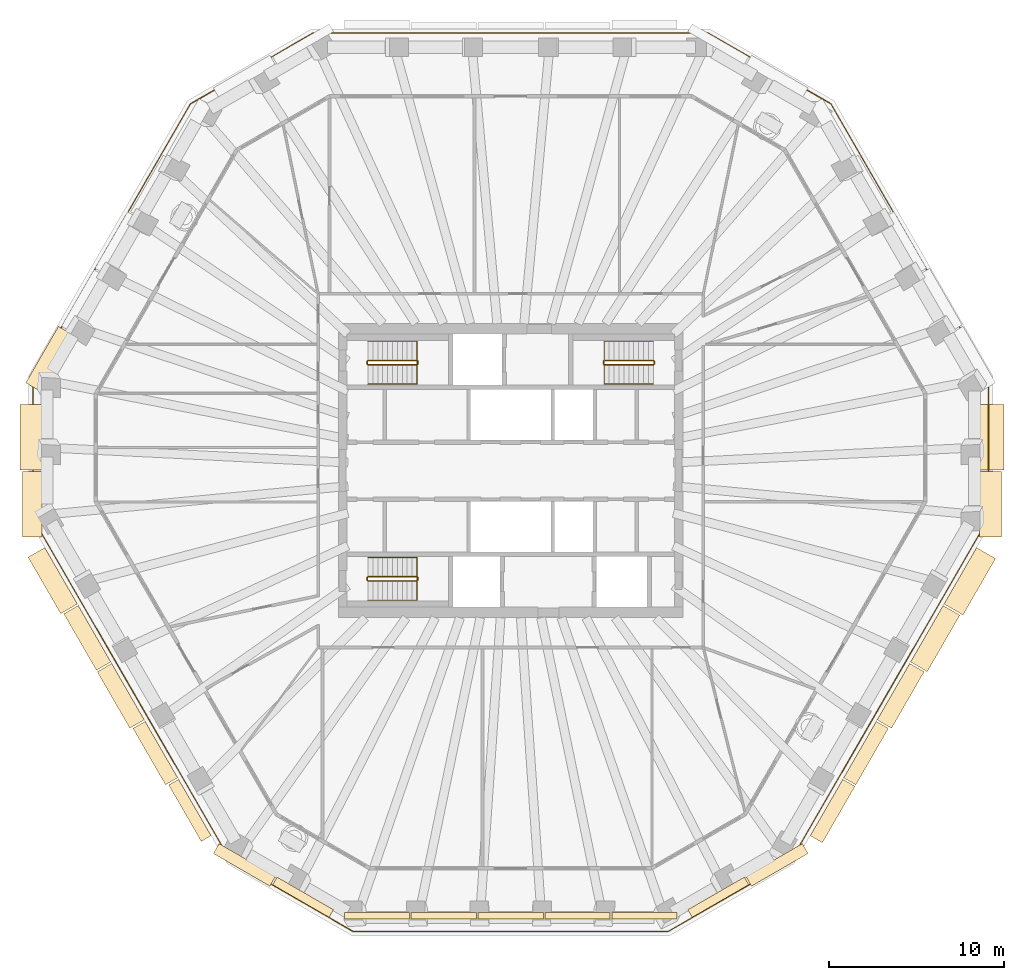
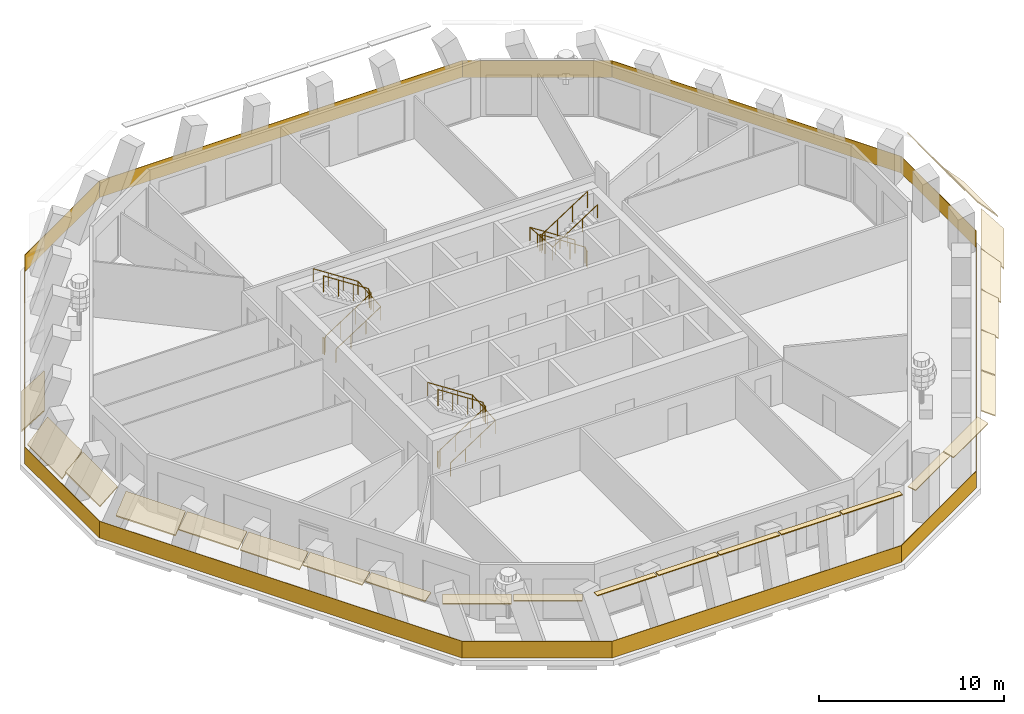
# One storey, part 9 of 12: 24 coverings, 7 railings.
"""IFC4 building model written with IfcOpenShell, lengths in metres."""

from ifc_helpers import new_model, si_unit, direction, frame, origin, origin_2d, place, context, subcontext, project, spatial, polyline, rectangle, circle, outline, extrude, material, layer, layer_set, type_object, element, save


model = new_model("IFC4")

# Units and contexts
model_context = context("Model", 3, precision=1e-05, world=origin(), true_north=direction((0.0, 1.0)))
body_context = subcontext(model_context, "Body", "Model", "MODEL_VIEW")
ifc_project = project(units=[si_unit("LENGTHUNIT", "METRE"), si_unit("AREAUNIT", "SQUARE_METRE"), si_unit("VOLUMEUNIT", "CUBIC_METRE"), si_unit("PLANEANGLEUNIT", "RADIAN"), si_unit("MASSUNIT", "GRAM", prefix="KILO")], contexts=[model_context])

# Site, building, storey
site_placement = place(None, origin())
site = spatial("IfcSite", under=ifc_project, at=site_placement, CompositionType="ELEMENT")
building_placement = place(site_placement, origin())
building = spatial("IfcBuilding", under=site, at=building_placement, Name="Frailejon Research Tower", CompositionType="ELEMENT")
storey_placement = place(building_placement, frame((0.0, 0.0, 253.39990234375)))
storey = spatial("IfcBuildingStorey", under=building, at=storey_placement, Name="L55", CompositionType="ELEMENT", Elevation=253.39990234375)

# Coverings
ifc_material_1 = material(Name="Precast concrete C50/60", Category="concrete")
ifc_layer_1 = layer(ifc_material_1, 0.06005859375)
ifc_layer_set_1 = layer_set([ifc_layer_1], Name="Brim blade depth 1100")
covering_type_1 = type_object("IfcCoveringType", Name="Brim blade depth 1100", PredefinedType="CLADDING", material=ifc_layer_set_1)
covering_1_placement = place(storey_placement, frame((-26.784423828125, -3.776611328125, 3.85009765625), z_axis=(0.0, 1.0, 0.0), x_axis=(-1.0, 0.0, 0.0)))
element("IfcCovering", 1, at=covering_1_placement, inside=storey, type_object=covering_type_1, Name="Brim blade L55", PredefinedType="CLADDING", context=body_context, shape_type="SweptSolid", body=[
    extrude(outline(polyline([(0.0, -0.078369140625), (1.10009765625, -1.001220703125), (1.10009765625, -0.923095703125), (0.0, 0.0), (0.0, -0.078369140625)])), origin(), (0.0, 0.0, 1.0), 3.726806640625),
])
for number, where, z_axis, x_axis, name in (
    (2, (-24.758056640625, -7.61767578125, 3.85009765625), (-0.499995044799, 0.866028264652, 0.0), (-0.866028264652, -0.499995044799, 0.0), "Brim blade L55"),
    (3, (24.7080078125, -7.704345703125, 3.85009765625), (-0.500014671885, -0.866016932802, 0.0), (0.866016932802, -0.500014671885, 0.0), "Brim blade L55"),
):
    element("IfcCovering", number, at=place(storey_placement, frame(where, z_axis=z_axis, x_axis=x_axis)), inside=storey, type_object=covering_type_1, Name=name, PredefinedType="CLADDING", context=body_context, shape_type="SweptSolid", body=[
        extrude(outline(polyline([(0.0, -0.078369140625), (1.10009765625, -1.001220703125), (1.10009765625, -0.923095703125), (0.0, 0.0), (0.0, -0.078369140625)])), origin(), (0.0, 0.0, 1.0), 3.72119140625),
    ])
ifc_material_2 = material(Name="Precast concrete C50/60", Category="concrete")
ifc_layer_2 = layer(ifc_material_2, 0.06005859375)
ifc_layer_set_2 = layer_set([ifc_layer_2], Name="Brim blade depth 1250")
covering_type_2 = type_object("IfcCoveringType", Name="Brim blade depth 1250", PredefinedType="CLADDING", material=ifc_layer_set_2)
covering_2_placement = place(storey_placement, frame((26.784423828125, -0.050048828125, 3.85009765625), z_axis=(0.0, -1.0, 0.0), x_axis=(1.0, 0.0, 0.0)))
element("IfcCovering", 4, at=covering_2_placement, inside=storey, type_object=covering_type_2, Name="Brim blade L55", PredefinedType="CLADDING", context=body_context, shape_type="SweptSolid", body=[
    extrude(outline(polyline([(0.0, -0.0888671875), (1.25, -1.452880859375), (1.25, -1.364013671875), (0.0, 0.0), (0.0, -0.0888671875)])), origin(), (0.0, 0.0, 1.0), 3.726806640625),
])
covering_3_placement = place(storey_placement, frame((-26.61865234375, 4.39501953125, 3.85009765625), z_axis=(0.499995044799, 0.866028264652, 0.0), x_axis=(-0.866028264652, 0.499995044799, 0.0)))
element("IfcCovering", 5, at=covering_3_placement, inside=storey, type_object=covering_type_2, Name="Brim blade L55", PredefinedType="CLADDING", context=body_context, shape_type="SweptSolid", body=[
    extrude(outline(polyline([(0.0, -0.0888671875), (1.25, -1.452880859375), (1.25, -1.364013671875), (0.0, 0.0), (0.0, -0.0888671875)])), origin(), (0.0, 0.0, 1.0), 3.72119140625),
])
covering_4_placement = place(storey_placement, frame((-26.784423828125, 0.050048828125, 3.85009765625), z_axis=(0.0, 1.0, 0.0), x_axis=(-1.0, 0.0, 0.0)))
element("IfcCovering", 6, at=covering_4_placement, inside=storey, type_object=covering_type_2, Name="Brim blade L55", PredefinedType="CLADDING", context=body_context, shape_type="SweptSolid", body=[
    extrude(outline(polyline([(0.0, -0.0888671875), (1.25, -1.452880859375), (1.25, -1.364013671875), (0.0, 0.0), (0.0, -0.0888671875)])), origin(), (0.0, 0.0, 1.0), 3.726806640625),
])
covering_5_placement = place(storey_placement, frame((26.61865234375, -4.39501953125, 3.85009765625), z_axis=(-0.499995044799, -0.866028264652, 0.0), x_axis=(0.866028264652, -0.499995044799, 0.0)))
element("IfcCovering", 7, at=covering_5_placement, inside=storey, type_object=covering_type_2, Name="Brim blade L55", PredefinedType="CLADDING", context=body_context, shape_type="SweptSolid", body=[
    extrude(outline(polyline([(0.0, -0.0888671875), (1.25, -1.452880859375), (1.25, -1.364013671875), (0.0, 0.0), (0.0, -0.0888671875)])), origin(), (0.0, 0.0, 1.0), 3.72119140625),
])
ifc_material_3 = material(Name="Precast concrete C50/60", Category="concrete")
ifc_layer_3 = layer(ifc_material_3, 0.06005859375)
ifc_layer_set_3 = layer_set([ifc_layer_3], Name="Brim blade depth 1400")
covering_type_3 = type_object("IfcCoveringType", Name="Brim blade depth 1400", PredefinedType="CLADDING", material=ifc_layer_set_3)
covering_6_placement = place(storey_placement, frame((26.784423828125, 3.776611328125, 3.85009765625), z_axis=(0.0, -1.0, 0.0), x_axis=(1.0, 0.0, 0.0)))
element("IfcCovering", 8, at=covering_6_placement, inside=storey, type_object=covering_type_3, Name="Brim blade L55", PredefinedType="CLADDING", context=body_context, shape_type="SweptSolid", body=[
    extrude(outline(polyline([(0.0, -0.1044921875), (1.39990234375, -2.10400390625), (1.39990234375, -1.99951171875), (0.0, 0.0), (0.0, -0.1044921875)])), origin(), (0.0, 0.0, 1.0), 3.726806640625),
])
ifc_material_4 = material(Name="Precast concrete C50/60", Category="concrete")
ifc_layer_4 = layer(ifc_material_4, 0.06005859375)
ifc_layer_set_4 = layer_set([ifc_layer_4], Name="Brim blade depth 350")
covering_type_4 = type_object("IfcCoveringType", Name="Brim blade depth 350", PredefinedType="CLADDING", material=ifc_layer_set_4)
for number, where, z_axis, x_axis, name in (
    (9, (-5.781982421875, -25.25, 3.85009765625), (-1.0, 0.0, 0.0), (0.0, -1.0, 0.0), "Brim blade L55"),
    (10, (-1.960693359375, -25.25, 3.85009765625), (-1.0, 0.0, 0.0), (0.0, -1.0, 0.0), "Brim blade L55"),
    (11, (1.860595703125, -25.25, 3.85009765625), (-1.0, 0.0, 0.0), (0.0, -1.0, 0.0), "Brim blade L55"),
    (12, (5.681884765625, -25.25, 3.85009765625), (-1.0, 0.0, 0.0), (0.0, -1.0, 0.0), "Brim blade L55"),
    (13, (9.503173828125, -25.25, 3.85009765625), (-1.0, 0.0, 0.0), (0.0, -1.0, 0.0), "Brim blade L55"),
):
    element("IfcCovering", number, at=place(storey_placement, frame(where, z_axis=z_axis, x_axis=x_axis)), inside=storey, type_object=covering_type_4, Name=name, PredefinedType="CLADDING", context=body_context, shape_type="SweptSolid", body=[
        extrude(outline(polyline([(0.0, -0.06005859375), (0.35009765625, -0.06005859375), (0.35009765625, 0.0), (0.0, 0.0), (0.0, -0.06005859375)])), origin(), (0.0, 0.0, 1.0), 3.72119140625),
    ])
ifc_material_5 = material(Name="Precast concrete C50/60", Category="concrete")
ifc_layer_5 = layer(ifc_material_5, 0.06005859375)
ifc_layer_set_5 = layer_set([ifc_layer_5], Name="Brim blade depth 500")
covering_type_5 = type_object("IfcCoveringType", Name="Brim blade depth 500", PredefinedType="CLADDING", material=ifc_layer_set_5)
for number, where, z_axis, x_axis, name in (
    (14, (-10.12158203125, -25.084228515625, 3.85009765625), (-0.866018477835, 0.500011995905, 0.0), (-0.500011995905, -0.866018477835, 0.0), "Brim blade L55"),
    (15, (13.348876953125, -23.220947265625, 3.85009765625), (-0.866018477835, -0.500011995905, 0.0), (0.500011995905, -0.866018477835, 0.0), "Brim blade L55"),
):
    element("IfcCovering", number, at=place(storey_placement, frame(where, z_axis=z_axis, x_axis=x_axis)), inside=storey, type_object=covering_type_5, Name=name, PredefinedType="CLADDING", context=body_context, shape_type="SweptSolid", body=[
        extrude(outline(polyline([(0.0, -0.060546875), (0.5, -0.130859375), (0.5, -0.0703125), (0.0, 0.0), (0.0, -0.060546875)])), origin(), (0.0, 0.0, 1.0), 3.726806640625),
    ])
ifc_material_6 = material(Name="Precast concrete C50/60", Category="concrete")
ifc_layer_6 = layer(ifc_material_6, 0.06005859375)
ifc_layer_set_6 = layer_set([ifc_layer_6], Name="Brim blade depth 650")
covering_type_6 = type_object("IfcCoveringType", Name="Brim blade depth 650", PredefinedType="CLADDING", material=ifc_layer_set_6)
covering_7_placement = place(storey_placement, frame((-17.115478515625, -20.85498046875, 3.85009765625), z_axis=(-0.500014671885, 0.866016932802, 0.0), x_axis=(-0.866016932802, -0.500014671885, 0.0)))
element("IfcCovering", 16, at=covering_7_placement, inside=storey, type_object=covering_type_6, Name="Brim blade L55", PredefinedType="CLADDING", context=body_context, shape_type="SweptSolid", body=[
    extrude(outline(polyline([(0.0, -0.0625), (0.64990234375, -0.248779296875), (0.64990234375, -0.186279296875), (0.0, 0.0), (0.0, -0.0625)])), origin(), (0.0, 0.0, 1.0), 3.72119140625),
])
for number, where, z_axis, x_axis, name in (
    (17, (-13.435546875, -23.1708984375, 3.85009765625), (-0.866029793251, 0.499992397145, 0.0), (-0.499992397145, -0.866029793251, 0.0), "Brim blade L55"),
    (18, (16.662841796875, -21.3076171875, 3.85009765625), (-0.866029793251, -0.499992397145, 0.0), (0.499992397145, -0.866029793251, 0.0), "Brim blade L55"),
):
    element("IfcCovering", number, at=place(storey_placement, frame(where, z_axis=z_axis, x_axis=x_axis)), inside=storey, type_object=covering_type_6, Name=name, PredefinedType="CLADDING", context=body_context, shape_type="SweptSolid", body=[
        extrude(outline(polyline([(0.0, -0.0625), (0.64990234375, -0.248779296875), (0.64990234375, -0.186279296875), (0.0, 0.0), (0.0, -0.0625)])), origin(), (0.0, 0.0, 1.0), 3.726806640625),
    ])
ifc_material_7 = material(Name="Precast concrete C50/60", Category="concrete")
ifc_layer_7 = layer(ifc_material_7, 0.06005859375)
ifc_layer_set_7 = layer_set([ifc_layer_7], Name="Brim blade depth 800")
covering_type_7 = type_object("IfcCoveringType", Name="Brim blade depth 800", PredefinedType="CLADDING", material=ifc_layer_set_7)
for number, where, z_axis, x_axis, name in (
    (19, (-19.026123046875, -17.545654296875, 3.85009765625), (-0.499995044799, 0.866028264652, 0.0), (-0.866028264652, -0.499995044799, 0.0), "Brim blade L55"),
    (20, (18.976318359375, -17.63232421875, 3.85009765625), (-0.500014671885, -0.866016932802, 0.0), (0.866016932802, -0.500014671885, 0.0), "Brim blade L55"),
    (21, (20.88671875, -14.322998046875, 3.85009765625), (-0.499995044799, -0.866028264652, 0.0), (0.866028264652, -0.499995044799, 0.0), "Brim blade L55"),
):
    element("IfcCovering", number, at=place(storey_placement, frame(where, z_axis=z_axis, x_axis=x_axis)), inside=storey, type_object=covering_type_7, Name=name, PredefinedType="CLADDING", context=body_context, shape_type="SweptSolid", body=[
        extrude(outline(polyline([(0.0, -0.065673828125), (0.800048828125, -0.421875), (0.800048828125, -0.356201171875), (0.0, 0.0), (0.0, -0.065673828125)])), origin(), (0.0, 0.0, 1.0), 3.72119140625),
    ])
ifc_material_8 = material(Name="Precast concrete C50/60", Category="concrete")
ifc_layer_8 = layer(ifc_material_8, 0.06005859375)
ifc_layer_set_8 = layer_set([ifc_layer_8], Name="Brim blade depth 950")
covering_type_8 = type_object("IfcCoveringType", Name="Brim blade depth 950", PredefinedType="CLADDING", material=ifc_layer_set_8)
for number, where, z_axis, x_axis, name in (
    (22, (-22.847412109375, -10.927001953125, 3.85009765625), (-0.500014671885, 0.866016932802, 0.0), (-0.866016932802, -0.500014671885, 0.0), "Brim blade L55"),
    (23, (-20.936767578125, -14.236328125, 3.85009765625), (-0.4999837137, 0.86603480648, 0.0), (-0.86603480648, -0.4999837137, 0.0), "Brim blade L55"),
    (24, (22.79736328125, -11.013671875, 3.85009765625), (-0.4999837137, -0.86603480648, 0.0), (0.86603480648, -0.4999837137, 0.0), "Brim blade L55"),
):
    element("IfcCovering", number, at=place(storey_placement, frame(where, z_axis=z_axis, x_axis=x_axis)), inside=storey, type_object=covering_type_8, Name=name, PredefinedType="CLADDING", context=body_context, shape_type="SweptSolid", body=[
        extrude(outline(polyline([(0.0, -0.07080078125), (0.949951171875, -0.664306640625), (0.949951171875, -0.593505859375), (0.0, 0.0), (0.0, -0.07080078125)])), origin(), (0.0, 0.0, 1.0), 3.72119140625),
    ])

# Railings
ifc_material_9 = material(Name="Laminated glass balustrade", Category="glass")
railing_type_1 = type_object("IfcRailingType", Name="Glass guard 1100", PredefinedType="GUARDRAIL", material=ifc_material_9)
railing_1_placement = place(storey_placement, frame((27.299072265625, -2.721923828125, 0.0)))
element("IfcRailing", 25, at=railing_1_placement, inside=storey, type_object=railing_type_1, Name="Loggia guard L55", PredefinedType="GUARDRAIL", context=body_context, shape_type="SweptSolid", body=[
    extrude(rectangle(XDim=8.083740234375, YDim=0.030029296875, at=origin_2d()), frame((0.0, 4.0419921875, 0.0), z_axis=(0.0, 0.0, 1.0), x_axis=(0.0, 1.0, 0.0)), (0.0, 0.0, 1.0), 1.10009765625),
    extrude(rectangle(XDim=18.01220703125, YDim=0.030029296875, at=origin_2d()), frame((-4.503173828125, 15.88330078125, 0.0), z_axis=(0.0, 0.0, 1.0), x_axis=(-0.500013817586, 0.866017426051, 0.0)), (0.0, 0.0, 1.0), 1.10009765625),
    extrude(rectangle(XDim=8.08349609375, YDim=0.030029296875, at=origin_2d()), frame((-12.506591796875, 25.70361328125, 0.0), z_axis=(0.0, 0.0, 1.0), x_axis=(-0.866011562111, 0.500023973715, 0.0)), (0.0, 0.0, 1.0), 1.10009765625),
    extrude(rectangle(XDim=22.58447265625, YDim=0.030029296875, at=origin_2d()), frame((-27.299072265625, 27.724609375, 0.0), z_axis=(0.0, 0.0, 1.0), x_axis=(-1.0, 0.0, 0.0)), (0.0, 0.0, 1.0), 1.10009765625),
    extrude(rectangle(XDim=8.08349609375, YDim=0.030029296875, at=origin_2d()), frame((-42.091552734375, 25.70361328125, 0.0), z_axis=(0.0, 0.0, 1.0), x_axis=(-0.866011562111, -0.500023973715, 0.0)), (0.0, 0.0, 1.0), 1.10009765625),
    extrude(rectangle(XDim=18.01220703125, YDim=0.030029296875, at=origin_2d()), frame((-50.094970703125, 15.88330078125, 0.0), z_axis=(0.0, 0.0, 1.0), x_axis=(-0.500013817586, -0.866017426051, 0.0)), (0.0, 0.0, 1.0), 1.10009765625),
    extrude(rectangle(XDim=8.083740234375, YDim=0.030029296875, at=origin_2d()), frame((-54.59814453125, 4.0419921875, 0.0), z_axis=(0.0, 0.0, 1.0), x_axis=(0.0, -1.0, 0.0)), (0.0, 0.0, 1.0), 1.10009765625),
    extrude(rectangle(XDim=22.584716796875, YDim=0.030029296875, at=origin_2d()), frame((-48.951904296875, -9.779296875, 0.0), z_axis=(0.0, 0.0, 1.0), x_axis=(0.500005982389, -0.866021949823, 0.0)), (0.0, 0.0, 1.0), 1.10009765625),
    extrude(rectangle(XDim=8.08349609375, YDim=0.030029296875, at=origin_2d()), frame((-39.805419921875, -21.57958984375, 0.0), z_axis=(0.0, 0.0, 1.0), x_axis=(0.866024640271, -0.500001322442, 0.0)), (0.0, 0.0, 1.0), 1.10009765625),
    extrude(rectangle(XDim=18.01220703125, YDim=0.030029296875, at=origin_2d()), frame((-27.299072265625, -23.6005859375, 0.0), z_axis=(0.0, 0.0, 1.0), x_axis=(1.0, 0.0, 0.0)), (0.0, 0.0, 1.0), 1.10009765625),
    extrude(rectangle(XDim=8.08349609375, YDim=0.030029296875, at=origin_2d()), frame((-14.792724609375, -21.57958984375, 0.0), z_axis=(0.0, 0.0, 1.0), x_axis=(0.866024640271, 0.500001322442, 0.0)), (0.0, 0.0, 1.0), 1.10009765625),
    extrude(rectangle(XDim=22.5146484375, YDim=0.030029296875, at=origin_2d()), frame((-5.663818359375, -9.8095703125, 0.0), z_axis=(0.0, 0.0, 1.0), x_axis=(0.499999355492, 0.866025775891, 0.0)), (0.0, 0.0, 1.0), 1.10009765625),
])
ifc_material_10 = material(Name="Stainless steel", Category="steel")
railing_type_2 = type_object("IfcRailingType", Name="Stair guard 1100", PredefinedType="GUARDRAIL", material=ifc_material_10)
railing_2_placement = place(storey_placement, frame((-8.199951171875, 6.25, 0.0)))
element("IfcRailing", 26, at=railing_2_placement, inside=storey, type_object=railing_type_2, Name="L55 ST1 stair guard 1", PredefinedType="GUARDRAIL", context=body_context, shape_type="SweptSolid", body=[
    extrude(circle(Radius=0.02392578125, at=origin_2d()), frame((0.0, 0.0, 1.076171875), z_axis=(0.0, -1.0, 0.0), x_axis=(1.0, 0.0, 0.0)), (0.0, 0.0, 1.0), 0.14990234375),
    extrude(circle(Radius=0.02392578125, at=origin_2d()), frame((0.0, -0.14990234375, 1.076171875), z_axis=(0.256435381639, -0.256435381639, 0.931923704005), x_axis=(0.707106781187, 0.707106781187, 0.0)), (0.0, 0.0, 1.0), 0.195068359375),
    extrude(circle(Radius=0.02392578125, at=origin_2d()), frame((0.050048828125, -0.199951171875, 1.2578125), z_axis=(0.83868413941, 0.0, 0.544618136222), x_axis=(0.0, 1.0, 0.0)), (0.0, 0.0, 1.0), 3.33837890625),
    extrude(circle(Radius=0.02392578125, at=origin_2d()), frame((2.849853515625, -0.199951171875, 3.076171875), z_axis=(0.707106781187, 0.707106781187, 0.0), x_axis=(-0.707106781187, 0.707106781187, 0.0)), (0.0, 0.0, 1.0), 0.07080078125),
    extrude(circle(Radius=0.02392578125, at=origin_2d()), frame((2.89990234375, -0.14990234375, 3.076171875), z_axis=(0.0, 1.0, 0.0), x_axis=(-1.0, 0.0, 0.0)), (0.0, 0.0, 1.0), 0.14990234375),
    extrude(circle(Radius=0.02392578125, at=origin_2d()), frame((2.89990234375, 0.0, 3.076171875), z_axis=(-0.256435381639, 0.256435381639, 0.931923704005), x_axis=(-0.707106781187, -0.707106781187, 0.0)), (0.0, 0.0, 1.0), 0.195068359375),
    extrude(circle(Radius=0.02392578125, at=origin_2d()), frame((2.849853515625, 0.050048828125, 3.2578125), z_axis=(-0.83868413941, 0.0, 0.544618136222), x_axis=(0.0, -1.0, 0.0)), (0.0, 0.0, 1.0), 3.33837890625),
    extrude(circle(Radius=0.02099609375, at=origin_2d()), origin(), (0.0, 0.0, 1.0), 1.052001953125),
    extrude(circle(Radius=0.02099609375, at=origin_2d()), frame((0.0, -0.14990234375, 0.0)), (0.0, 0.0, 1.0), 1.052001953125),
    extrude(circle(Radius=0.02099609375, at=origin_2d()), frame((0.050048828125, -0.199951171875, 0.181884765625)), (0.0, 0.0, 1.0), 1.052001953125),
    extrude(circle(Radius=0.02099609375, at=origin_2d()), frame((0.9833984375, -0.199951171875, 0.787841796875)), (0.0, 0.0, 1.0), 1.052001953125),
    extrude(circle(Radius=0.02099609375, at=origin_2d()), frame((1.91650390625, -0.199951171875, 1.39404296875)), (0.0, 0.0, 1.0), 1.052001953125),
    extrude(circle(Radius=0.02099609375, at=origin_2d()), frame((2.849853515625, -0.199951171875, 2.0)), (0.0, 0.0, 1.0), 1.052001953125),
    extrude(circle(Radius=0.02099609375, at=origin_2d()), frame((2.89990234375, -0.14990234375, 2.0)), (0.0, 0.0, 1.0), 1.052001953125),
    extrude(circle(Radius=0.02099609375, at=origin_2d()), frame((2.89990234375, 0.0, 2.0)), (0.0, 0.0, 1.0), 1.052001953125),
    extrude(circle(Radius=0.02099609375, at=origin_2d()), frame((2.849853515625, 0.050048828125, 2.181884765625)), (0.0, 0.0, 1.0), 1.052001953125),
    extrude(circle(Radius=0.02099609375, at=origin_2d()), frame((1.91650390625, 0.050048828125, 2.787841796875)), (0.0, 0.0, 1.0), 1.052001953125),
    extrude(circle(Radius=0.02099609375, at=origin_2d()), frame((0.9833984375, 0.050048828125, 3.39404296875)), (0.0, 0.0, 1.0), 1.052001953125),
    extrude(circle(Radius=0.02099609375, at=origin_2d()), frame((0.050048828125, 0.050048828125, 4.0)), (0.0, 0.0, 1.0), 1.052001953125),
])
railing_3_placement = place(storey_placement, frame((-8.199951171875, -6.10009765625, 0.0)))
element("IfcRailing", 27, at=railing_3_placement, inside=storey, type_object=railing_type_2, Name="L55 ST2 stair guard 1", PredefinedType="GUARDRAIL", context=body_context, shape_type="SweptSolid", body=[
    extrude(circle(Radius=0.02392578125, at=origin_2d()), frame((0.0, 0.0, 1.076171875), z_axis=(0.0, -1.0, 0.0), x_axis=(1.0, 0.0, 0.0)), (0.0, 0.0, 1.0), 0.14990234375),
    extrude(circle(Radius=0.02392578125, at=origin_2d()), frame((0.0, -0.14990234375, 1.076171875), z_axis=(0.256435381639, -0.256435381639, 0.931923704005), x_axis=(0.707106781187, 0.707106781187, 0.0)), (0.0, 0.0, 1.0), 0.195068359375),
    extrude(circle(Radius=0.02392578125, at=origin_2d()), frame((0.050048828125, -0.199951171875, 1.2578125), z_axis=(0.83868413941, 0.0, 0.544618136222), x_axis=(0.0, 1.0, 0.0)), (0.0, 0.0, 1.0), 3.33837890625),
    extrude(circle(Radius=0.02392578125, at=origin_2d()), frame((2.849853515625, -0.199951171875, 3.076171875), z_axis=(0.707106781187, 0.707106781187, 0.0), x_axis=(-0.707106781187, 0.707106781187, 0.0)), (0.0, 0.0, 1.0), 0.07080078125),
    extrude(circle(Radius=0.02392578125, at=origin_2d()), frame((2.89990234375, -0.14990234375, 3.076171875), z_axis=(0.0, 1.0, 0.0), x_axis=(-1.0, 0.0, 0.0)), (0.0, 0.0, 1.0), 0.14990234375),
    extrude(circle(Radius=0.02392578125, at=origin_2d()), frame((2.89990234375, 0.0, 3.076171875), z_axis=(-0.256435381639, 0.256435381639, 0.931923704005), x_axis=(-0.707106781187, -0.707106781187, 0.0)), (0.0, 0.0, 1.0), 0.195068359375),
    extrude(circle(Radius=0.02392578125, at=origin_2d()), frame((2.849853515625, 0.050048828125, 3.2578125), z_axis=(-0.83868413941, 0.0, 0.544618136222), x_axis=(0.0, -1.0, 0.0)), (0.0, 0.0, 1.0), 3.33837890625),
    extrude(circle(Radius=0.02099609375, at=origin_2d()), origin(), (0.0, 0.0, 1.0), 1.052001953125),
    extrude(circle(Radius=0.02099609375, at=origin_2d()), frame((0.0, -0.14990234375, 0.0)), (0.0, 0.0, 1.0), 1.052001953125),
    extrude(circle(Radius=0.02099609375, at=origin_2d()), frame((0.050048828125, -0.199951171875, 0.181884765625)), (0.0, 0.0, 1.0), 1.052001953125),
    extrude(circle(Radius=0.02099609375, at=origin_2d()), frame((0.9833984375, -0.199951171875, 0.787841796875)), (0.0, 0.0, 1.0), 1.052001953125),
    extrude(circle(Radius=0.02099609375, at=origin_2d()), frame((1.91650390625, -0.199951171875, 1.39404296875)), (0.0, 0.0, 1.0), 1.052001953125),
    extrude(circle(Radius=0.02099609375, at=origin_2d()), frame((2.849853515625, -0.199951171875, 2.0)), (0.0, 0.0, 1.0), 1.052001953125),
    extrude(circle(Radius=0.02099609375, at=origin_2d()), frame((2.89990234375, -0.14990234375, 2.0)), (0.0, 0.0, 1.0), 1.052001953125),
    extrude(circle(Radius=0.02099609375, at=origin_2d()), frame((2.89990234375, 0.0, 2.0)), (0.0, 0.0, 1.0), 1.052001953125),
    extrude(circle(Radius=0.02099609375, at=origin_2d()), frame((2.849853515625, 0.050048828125, 2.181884765625)), (0.0, 0.0, 1.0), 1.052001953125),
    extrude(circle(Radius=0.02099609375, at=origin_2d()), frame((1.91650390625, 0.050048828125, 2.787841796875)), (0.0, 0.0, 1.0), 1.052001953125),
    extrude(circle(Radius=0.02099609375, at=origin_2d()), frame((0.9833984375, 0.050048828125, 3.39404296875)), (0.0, 0.0, 1.0), 1.052001953125),
    extrude(circle(Radius=0.02099609375, at=origin_2d()), frame((0.050048828125, 0.050048828125, 4.0)), (0.0, 0.0, 1.0), 1.052001953125),
])
railing_4_placement = place(storey_placement, frame((8.199951171875, 6.10009765625, 0.0)))
element("IfcRailing", 28, at=railing_4_placement, inside=storey, type_object=railing_type_2, Name="L55 ST3 stair guard 1", PredefinedType="GUARDRAIL", context=body_context, shape_type="SweptSolid", body=[
    extrude(circle(Radius=0.02392578125, at=origin_2d()), frame((0.0, 0.0, 1.076171875), z_axis=(0.0, 1.0, 0.0), x_axis=(-1.0, 0.0, 0.0)), (0.0, 0.0, 1.0), 0.14990234375),
    extrude(circle(Radius=0.02392578125, at=origin_2d()), frame((0.0, 0.14990234375, 1.076171875), z_axis=(-0.256435381639, 0.256435381639, 0.931923704005), x_axis=(-0.707106781187, -0.707106781187, 0.0)), (0.0, 0.0, 1.0), 0.195068359375),
    extrude(circle(Radius=0.02392578125, at=origin_2d()), frame((-0.050048828125, 0.199951171875, 1.2578125), z_axis=(-0.83868413941, 0.0, 0.544618136222), x_axis=(0.0, -1.0, 0.0)), (0.0, 0.0, 1.0), 3.33837890625),
    extrude(circle(Radius=0.02392578125, at=origin_2d()), frame((-2.849853515625, 0.199951171875, 3.076171875), z_axis=(-0.707106781187, -0.707106781187, 0.0), x_axis=(0.707106781187, -0.707106781187, 0.0)), (0.0, 0.0, 1.0), 0.07080078125),
    extrude(circle(Radius=0.02392578125, at=origin_2d()), frame((-2.89990234375, 0.14990234375, 3.076171875), z_axis=(0.0, -1.0, 0.0), x_axis=(1.0, 0.0, 0.0)), (0.0, 0.0, 1.0), 0.14990234375),
    extrude(circle(Radius=0.02392578125, at=origin_2d()), frame((-2.89990234375, 0.0, 3.076171875), z_axis=(0.256435381639, -0.256435381639, 0.931923704005), x_axis=(0.707106781187, 0.707106781187, 0.0)), (0.0, 0.0, 1.0), 0.195068359375),
    extrude(circle(Radius=0.02392578125, at=origin_2d()), frame((-2.849853515625, -0.050048828125, 3.2578125), z_axis=(0.83868413941, 0.0, 0.544618136222), x_axis=(0.0, 1.0, 0.0)), (0.0, 0.0, 1.0), 3.33837890625),
    extrude(circle(Radius=0.02099609375, at=origin_2d()), origin(), (0.0, 0.0, 1.0), 1.052001953125),
    extrude(circle(Radius=0.02099609375, at=origin_2d()), frame((0.0, 0.14990234375, 0.0)), (0.0, 0.0, 1.0), 1.052001953125),
    extrude(circle(Radius=0.02099609375, at=origin_2d()), frame((-0.050048828125, 0.199951171875, 0.181884765625)), (0.0, 0.0, 1.0), 1.052001953125),
    extrude(circle(Radius=0.02099609375, at=origin_2d()), frame((-0.9833984375, 0.199951171875, 0.787841796875)), (0.0, 0.0, 1.0), 1.052001953125),
    extrude(circle(Radius=0.02099609375, at=origin_2d()), frame((-1.91650390625, 0.199951171875, 1.39404296875)), (0.0, 0.0, 1.0), 1.052001953125),
    extrude(circle(Radius=0.02099609375, at=origin_2d()), frame((-2.849853515625, 0.199951171875, 2.0)), (0.0, 0.0, 1.0), 1.052001953125),
    extrude(circle(Radius=0.02099609375, at=origin_2d()), frame((-2.89990234375, 0.14990234375, 2.0)), (0.0, 0.0, 1.0), 1.052001953125),
    extrude(circle(Radius=0.02099609375, at=origin_2d()), frame((-2.89990234375, 0.0, 2.0)), (0.0, 0.0, 1.0), 1.052001953125),
    extrude(circle(Radius=0.02099609375, at=origin_2d()), frame((-2.849853515625, -0.050048828125, 2.181884765625)), (0.0, 0.0, 1.0), 1.052001953125),
    extrude(circle(Radius=0.02099609375, at=origin_2d()), frame((-1.91650390625, -0.050048828125, 2.787841796875)), (0.0, 0.0, 1.0), 1.052001953125),
    extrude(circle(Radius=0.02099609375, at=origin_2d()), frame((-0.9833984375, -0.050048828125, 3.39404296875)), (0.0, 0.0, 1.0), 1.052001953125),
    extrude(circle(Radius=0.02099609375, at=origin_2d()), frame((-0.050048828125, -0.050048828125, 4.0)), (0.0, 0.0, 1.0), 1.052001953125),
])
ifc_material_11 = material(Name="Stainless steel", Category="steel")
railing_type_3 = type_object("IfcRailingType", Name="Stair handrail 900", PredefinedType="HANDRAIL", material=ifc_material_11)
railing_5_placement = place(storey_placement, frame((-8.14990234375, 4.949951171875, 0.181884765625)))
element("IfcRailing", 29, at=railing_5_placement, inside=storey, type_object=railing_type_3, Name="L55 ST1 stair handrail 1", PredefinedType="HANDRAIL", context=body_context, shape_type="SweptSolid", body=[
    extrude(circle(Radius=0.02392578125, at=origin_2d()), frame((0.0, 0.0, 0.8759765625), z_axis=(0.83868413941, 0.0, 0.544618136222), x_axis=(0.0, 1.0, 0.0)), (0.0, 0.0, 1.0), 3.33837890625),
    extrude(circle(Radius=0.02392578125, at=origin_2d()), frame((2.7998046875, 0.0, 2.69384765625), z_axis=(0.0, 0.997255538948, 0.074036410216), x_axis=(-1.0, 0.0, 0.0)), (0.0, 0.0, 1.0), 2.456787109375),
    extrude(circle(Radius=0.02392578125, at=origin_2d()), frame((2.7998046875, 2.449951171875, 2.8759765625), z_axis=(-0.83868413941, 0.0, 0.544618136222), x_axis=(0.0, -1.0, 0.0)), (0.0, 0.0, 1.0), 3.33837890625),
    extrude(circle(Radius=0.02099609375, at=origin_2d()), origin(), (0.0, 0.0, 1.0), 0.851806640625),
    extrude(circle(Radius=0.02099609375, at=origin_2d()), frame((0.933349609375, 0.0, 0.60595703125)), (0.0, 0.0, 1.0), 0.851806640625),
    extrude(circle(Radius=0.02099609375, at=origin_2d()), frame((1.866455078125, 0.0, 1.212158203125)), (0.0, 0.0, 1.0), 0.851806640625),
    extrude(circle(Radius=0.02099609375, at=origin_2d()), frame((2.7998046875, 0.0, 1.818115234375)), (0.0, 0.0, 1.0), 0.851806640625),
    extrude(circle(Radius=0.02099609375, at=origin_2d()), frame((2.7998046875, 0.816650390625, 1.878662109375)), (0.0, 0.0, 1.0), 0.851806640625),
    extrude(circle(Radius=0.02099609375, at=origin_2d()), frame((2.7998046875, 1.63330078125, 1.939453125)), (0.0, 0.0, 1.0), 0.851806640625),
    extrude(circle(Radius=0.02099609375, at=origin_2d()), frame((2.7998046875, 2.449951171875, 2.0)), (0.0, 0.0, 1.0), 0.851806640625),
    extrude(circle(Radius=0.02099609375, at=origin_2d()), frame((1.866455078125, 2.449951171875, 2.60595703125)), (0.0, 0.0, 1.0), 0.851806640625),
    extrude(circle(Radius=0.02099609375, at=origin_2d()), frame((0.933349609375, 2.449951171875, 3.212158203125)), (0.0, 0.0, 1.0), 0.851806640625),
    extrude(circle(Radius=0.02099609375, at=origin_2d()), frame((0.0, 2.449951171875, 3.818115234375)), (0.0, 0.0, 1.0), 0.851806640625),
])
railing_6_placement = place(storey_placement, frame((-8.14990234375, -7.39990234375, 0.181884765625)))
element("IfcRailing", 30, at=railing_6_placement, inside=storey, type_object=railing_type_3, Name="L55 ST2 stair handrail 1", PredefinedType="HANDRAIL", context=body_context, shape_type="SweptSolid", body=[
    extrude(circle(Radius=0.02392578125, at=origin_2d()), frame((0.0, 0.0, 0.8759765625), z_axis=(0.83868413941, 0.0, 0.544618136222), x_axis=(0.0, 1.0, 0.0)), (0.0, 0.0, 1.0), 3.33837890625),
    extrude(circle(Radius=0.02392578125, at=origin_2d()), frame((2.7998046875, 0.0, 2.69384765625), z_axis=(0.0, 0.997255538948, 0.074036410216), x_axis=(-1.0, 0.0, 0.0)), (0.0, 0.0, 1.0), 2.456787109375),
    extrude(circle(Radius=0.02392578125, at=origin_2d()), frame((2.7998046875, 2.449951171875, 2.8759765625), z_axis=(-0.83868413941, 0.0, 0.544618136222), x_axis=(0.0, -1.0, 0.0)), (0.0, 0.0, 1.0), 3.33837890625),
    extrude(circle(Radius=0.02099609375, at=origin_2d()), origin(), (0.0, 0.0, 1.0), 0.851806640625),
    extrude(circle(Radius=0.02099609375, at=origin_2d()), frame((0.933349609375, 0.0, 0.60595703125)), (0.0, 0.0, 1.0), 0.851806640625),
    extrude(circle(Radius=0.02099609375, at=origin_2d()), frame((1.866455078125, 0.0, 1.212158203125)), (0.0, 0.0, 1.0), 0.851806640625),
    extrude(circle(Radius=0.02099609375, at=origin_2d()), frame((2.7998046875, 0.0, 1.818115234375)), (0.0, 0.0, 1.0), 0.851806640625),
    extrude(circle(Radius=0.02099609375, at=origin_2d()), frame((2.7998046875, 0.816650390625, 1.878662109375)), (0.0, 0.0, 1.0), 0.851806640625),
    extrude(circle(Radius=0.02099609375, at=origin_2d()), frame((2.7998046875, 1.63330078125, 1.939453125)), (0.0, 0.0, 1.0), 0.851806640625),
    extrude(circle(Radius=0.02099609375, at=origin_2d()), frame((2.7998046875, 2.449951171875, 2.0)), (0.0, 0.0, 1.0), 0.851806640625),
    extrude(circle(Radius=0.02099609375, at=origin_2d()), frame((1.866455078125, 2.449951171875, 2.60595703125)), (0.0, 0.0, 1.0), 0.851806640625),
    extrude(circle(Radius=0.02099609375, at=origin_2d()), frame((0.933349609375, 2.449951171875, 3.212158203125)), (0.0, 0.0, 1.0), 0.851806640625),
    extrude(circle(Radius=0.02099609375, at=origin_2d()), frame((0.0, 2.449951171875, 3.818115234375)), (0.0, 0.0, 1.0), 0.851806640625),
])
railing_7_placement = place(storey_placement, frame((8.14990234375, 7.39990234375, 0.181884765625)))
element("IfcRailing", 31, at=railing_7_placement, inside=storey, type_object=railing_type_3, Name="L55 ST3 stair handrail 1", PredefinedType="HANDRAIL", context=body_context, shape_type="SweptSolid", body=[
    extrude(circle(Radius=0.02392578125, at=origin_2d()), frame((0.0, 0.0, 0.8759765625), z_axis=(-0.83868413941, 0.0, 0.544618136222), x_axis=(0.0, -1.0, 0.0)), (0.0, 0.0, 1.0), 3.33837890625),
    extrude(circle(Radius=0.02392578125, at=origin_2d()), frame((-2.7998046875, 0.0, 2.69384765625), z_axis=(0.0, -0.997255538948, 0.074036410216), x_axis=(1.0, 0.0, 0.0)), (0.0, 0.0, 1.0), 2.456787109375),
    extrude(circle(Radius=0.02392578125, at=origin_2d()), frame((-2.7998046875, -2.449951171875, 2.8759765625), z_axis=(0.83868413941, 0.0, 0.544618136222), x_axis=(0.0, 1.0, 0.0)), (0.0, 0.0, 1.0), 3.33837890625),
    extrude(circle(Radius=0.02099609375, at=origin_2d()), origin(), (0.0, 0.0, 1.0), 0.851806640625),
    extrude(circle(Radius=0.02099609375, at=origin_2d()), frame((-0.933349609375, 0.0, 0.60595703125)), (0.0, 0.0, 1.0), 0.851806640625),
    extrude(circle(Radius=0.02099609375, at=origin_2d()), frame((-1.866455078125, 0.0, 1.212158203125)), (0.0, 0.0, 1.0), 0.851806640625),
    extrude(circle(Radius=0.02099609375, at=origin_2d()), frame((-2.7998046875, 0.0, 1.818115234375)), (0.0, 0.0, 1.0), 0.851806640625),
    extrude(circle(Radius=0.02099609375, at=origin_2d()), frame((-2.7998046875, -0.816650390625, 1.878662109375)), (0.0, 0.0, 1.0), 0.851806640625),
    extrude(circle(Radius=0.02099609375, at=origin_2d()), frame((-2.7998046875, -1.63330078125, 1.939453125)), (0.0, 0.0, 1.0), 0.851806640625),
    extrude(circle(Radius=0.02099609375, at=origin_2d()), frame((-2.7998046875, -2.449951171875, 2.0)), (0.0, 0.0, 1.0), 0.851806640625),
    extrude(circle(Radius=0.02099609375, at=origin_2d()), frame((-1.866455078125, -2.449951171875, 2.60595703125)), (0.0, 0.0, 1.0), 0.851806640625),
    extrude(circle(Radius=0.02099609375, at=origin_2d()), frame((-0.933349609375, -2.449951171875, 3.212158203125)), (0.0, 0.0, 1.0), 0.851806640625),
    extrude(circle(Radius=0.02099609375, at=origin_2d()), frame((0.0, -2.449951171875, 3.818115234375)), (0.0, 0.0, 1.0), 0.851806640625),
])

save(model, "model.ifc")
